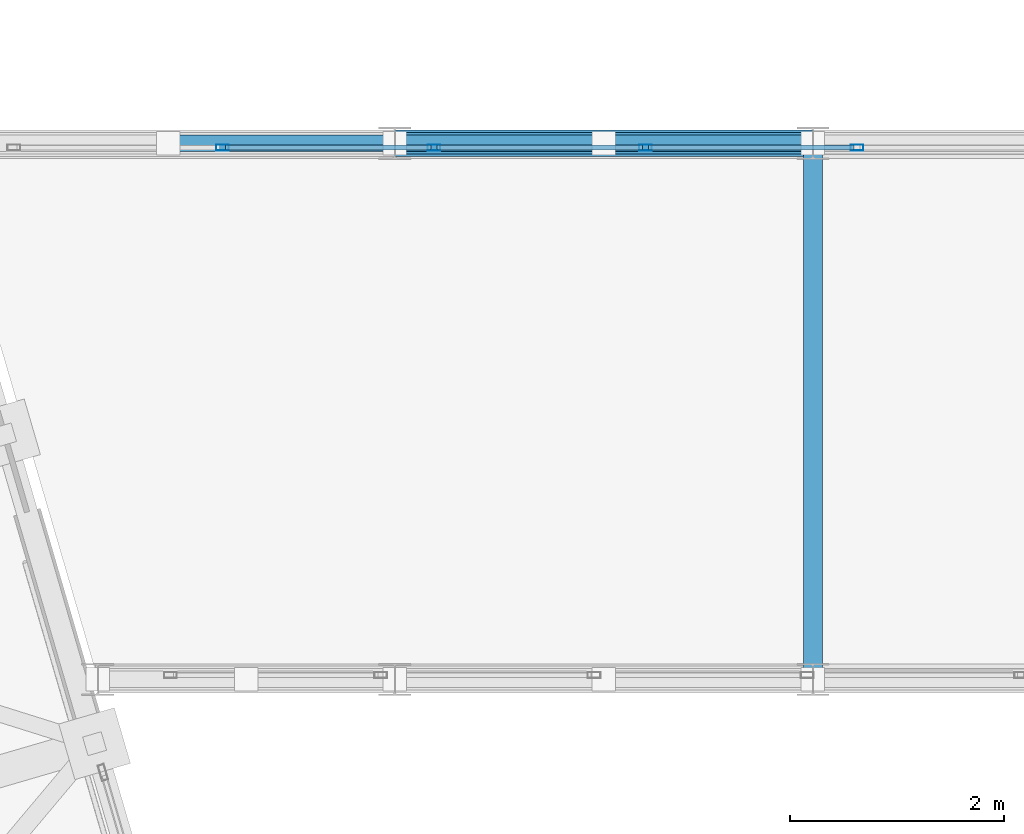
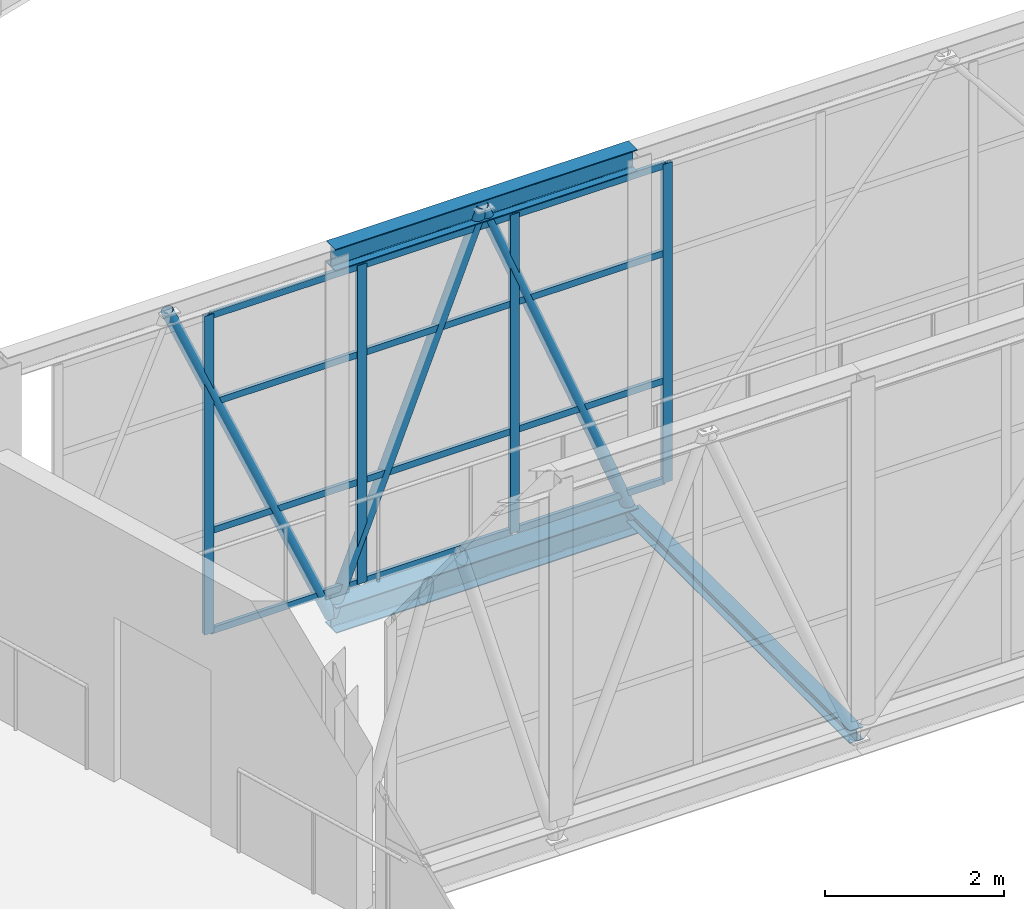
# One storey, part 127 of 248: 22 members, 1 element without a shape of its own.
"""IFC4 building model written with IfcOpenShell, lengths in metres."""

from ifc_helpers import new_model, si_unit, direction, frame, origin, origin_2d, place, context, subcontext, project, spatial, hollow_rectangle, hollow_circle, i_section, extrude, material, layer, layer_set, material_profile, profile_set, type_object, element, aggregate, save


model = new_model("IFC4")

# Units and contexts
model_context = context("Model", 3, precision=1e-05, world=origin(), true_north=direction((0.0, 1.0)))
body_context = subcontext(model_context, "Body", "Model", "MODEL_VIEW")
ifc_project = project(units=[si_unit("LENGTHUNIT", "METRE"), si_unit("AREAUNIT", "SQUARE_METRE"), si_unit("VOLUMEUNIT", "CUBIC_METRE"), si_unit("PLANEANGLEUNIT", "RADIAN"), si_unit("MASSUNIT", "GRAM", prefix="KILO")], contexts=[model_context])

# Site, building, storey
site_placement = place(None, origin())
site = spatial("IfcSite", under=ifc_project, at=site_placement, CompositionType="ELEMENT")
building_placement = place(site_placement, origin())
building = spatial("IfcBuilding", under=site, at=building_placement, Name="Canggui Botanical Conservatory", CompositionType="ELEMENT")
storey_placement = place(building_placement, frame((0.0, 0.0, 5.39990234375)))
storey = spatial("IfcBuildingStorey", under=building, at=storey_placement, Name="L02", CompositionType="ELEMENT", Elevation=5.39990234375)

# Curtain wall, members
ifc_material_1 = material(Name="Thermally Broken Aluminium", Category="aluminium")
ifc_layer = layer(ifc_material_1, 0.1201171875, Name="Thermally Broken Aluminium", Category="aluminium")
ifc_layer_set = layer_set([ifc_layer], Name="Thermally Broken Aluminium")
curtain_wall_type = type_object("IfcCurtainWallType", Name="CW-STICK-B", PredefinedType="USERDEFINED", material=ifc_layer_set)
curtain_wall_placement = place(storey_placement, origin())
curtain_wall = element("IfcCurtainWall", 1, at=curtain_wall_placement, inside=storey, type_object=curtain_wall_type, Name="Facade Curtain Wall CW-SB-04-2", ObjectType="STICK GLAZED WALL", PredefinedType="USERDEFINED")
ifc_material_profile_1 = material_profile(ifc_material_1, hollow_rectangle(XDim=0.054931640625, YDim=0.1201171875, WallThickness=0.0029296875, at=origin_2d()), Name="CWM 55x120x3")
ifc_profile_set_1 = profile_set([ifc_material_profile_1], Name="Thermally Broken Aluminium")
member_type_1 = type_object("IfcMemberType", Name="CWM-05", PredefinedType="MULLION", material=ifc_profile_set_1)
member_1_placement = place(storey_placement, frame((67.992919921875, 79.9599609375, 0.0), z_axis=(0.0, 0.0, 1.0), x_axis=(0.0, 1.0, 0.0)))
member_1 = element("IfcMember", 2, at=member_1_placement, type_object=member_type_1, Name="CW-05 mullion 2", PredefinedType="MULLION", context=body_context, shape_type="SweptSolid", body=[
    extrude(hollow_rectangle(XDim=0.054931640625, YDim=0.1201171875, WallThickness=0.0029296875, at=origin_2d()), origin(), (0.0, 0.0, 1.0), 4.35009765625),
])
member_2_placement = place(storey_placement, frame((69.965576171875, 79.9599609375, 0.0), z_axis=(0.0, 0.0, 1.0), x_axis=(0.0, 1.0, 0.0)))
member_2 = element("IfcMember", 3, at=member_2_placement, type_object=member_type_1, Name="CW-05 mullion 3", PredefinedType="MULLION", context=body_context, shape_type="SweptSolid", body=[
    extrude(hollow_rectangle(XDim=0.054931640625, YDim=0.1201171875, WallThickness=0.0029296875, at=origin_2d()), origin(), (0.0, 0.0, 1.0), 4.35009765625),
])
member_3_placement = place(storey_placement, frame((71.9384765625, 79.9599609375, 0.0), z_axis=(0.0, 0.0, 1.0), x_axis=(0.0, 1.0, 0.0)))
member_3 = element("IfcMember", 4, at=member_3_placement, type_object=member_type_1, Name="CW-05 mullion 4", PredefinedType="MULLION", context=body_context, shape_type="SweptSolid", body=[
    extrude(hollow_rectangle(XDim=0.054931640625, YDim=0.1201171875, WallThickness=0.0029296875, at=origin_2d()), origin(), (0.0, 0.0, 1.0), 4.35009765625),
])
member_4_placement = place(storey_placement, frame((73.9111328125, 79.9599609375, 0.0), z_axis=(0.0, 0.0, 1.0), x_axis=(0.0, 1.0, 0.0)))
member_4 = element("IfcMember", 5, at=member_4_placement, type_object=member_type_1, Name="CW-05 mullion 5", PredefinedType="MULLION", context=body_context, shape_type="SweptSolid", body=[
    extrude(hollow_rectangle(XDim=0.054931640625, YDim=0.1201171875, WallThickness=0.0029296875, at=origin_2d()), origin(), (0.0, 0.0, 1.0), 4.35009765625),
])
ifc_material_profile_2 = material_profile(ifc_material_1, hollow_rectangle(XDim=0.044921875, YDim=0.090087890625, WallThickness=0.0029296875, at=origin_2d()), Name="CWT 45x90x3")
ifc_profile_set_2 = profile_set([ifc_material_profile_2], Name="Thermally Broken Aluminium")
member_type_2 = type_object("IfcMemberType", Name="CWT-05", PredefinedType="USERDEFINED", material=ifc_profile_set_2)
member_5_placement = place(storey_placement, frame((68.020263671875, 79.9599609375, 0.022705078125), z_axis=(1.0, 0.0, 0.0), x_axis=(0.0, 1.0, 0.0)))
member_5 = element("IfcMember", 6, at=member_5_placement, type_object=member_type_2, Name="CW-05 transom 2.1", ObjectType="TRANSOM", PredefinedType="USERDEFINED", context=body_context, shape_type="SweptSolid", body=[
    extrude(hollow_rectangle(XDim=0.044921875, YDim=0.090087890625, WallThickness=0.0029296875, at=origin_2d()), origin(), (0.0, 0.0, 1.0), 1.91796875),
])
member_6_placement = place(storey_placement, frame((68.020263671875, 79.9599609375, 1.39208984375), z_axis=(1.0, 0.0, 0.0), x_axis=(0.0, 1.0, 0.0)))
member_6 = element("IfcMember", 7, at=member_6_placement, type_object=member_type_2, Name="CW-05 transom 2.2", ObjectType="TRANSOM", PredefinedType="USERDEFINED", context=body_context, shape_type="SweptSolid", body=[
    extrude(hollow_rectangle(XDim=0.044921875, YDim=0.090087890625, WallThickness=0.0029296875, at=origin_2d()), origin(), (0.0, 0.0, 1.0), 1.91796875),
])
member_7_placement = place(storey_placement, frame((68.020263671875, 79.9599609375, 3.132080078125), z_axis=(1.0, 0.0, 0.0), x_axis=(0.0, 1.0, 0.0)))
member_7 = element("IfcMember", 8, at=member_7_placement, type_object=member_type_2, Name="CW-05 transom 2.3", ObjectType="TRANSOM", PredefinedType="USERDEFINED", context=body_context, shape_type="SweptSolid", body=[
    extrude(hollow_rectangle(XDim=0.044921875, YDim=0.090087890625, WallThickness=0.0029296875, at=origin_2d()), origin(), (0.0, 0.0, 1.0), 1.91796875),
])
member_8_placement = place(storey_placement, frame((68.020263671875, 79.9599609375, 4.32763671875), z_axis=(1.0, 0.0, 0.0), x_axis=(0.0, 1.0, 0.0)))
member_8 = element("IfcMember", 9, at=member_8_placement, type_object=member_type_2, Name="CW-05 transom 2.4", ObjectType="TRANSOM", PredefinedType="USERDEFINED", context=body_context, shape_type="SweptSolid", body=[
    extrude(hollow_rectangle(XDim=0.044921875, YDim=0.090087890625, WallThickness=0.0029296875, at=origin_2d()), origin(), (0.0, 0.0, 1.0), 1.91796875),
])
member_9_placement = place(storey_placement, frame((69.9931640625, 79.9599609375, 0.022705078125), z_axis=(1.0, 0.0, 0.0), x_axis=(0.0, 1.0, 0.0)))
member_9 = element("IfcMember", 10, at=member_9_placement, type_object=member_type_2, Name="CW-05 transom 3.1", ObjectType="TRANSOM", PredefinedType="USERDEFINED", context=body_context, shape_type="SweptSolid", body=[
    extrude(hollow_rectangle(XDim=0.044921875, YDim=0.090087890625, WallThickness=0.0029296875, at=origin_2d()), origin(), (0.0, 0.0, 1.0), 1.917724609375),
])
member_10_placement = place(storey_placement, frame((69.9931640625, 79.9599609375, 1.39208984375), z_axis=(1.0, 0.0, 0.0), x_axis=(0.0, 1.0, 0.0)))
member_10 = element("IfcMember", 11, at=member_10_placement, type_object=member_type_2, Name="CW-05 transom 3.2", ObjectType="TRANSOM", PredefinedType="USERDEFINED", context=body_context, shape_type="SweptSolid", body=[
    extrude(hollow_rectangle(XDim=0.044921875, YDim=0.090087890625, WallThickness=0.0029296875, at=origin_2d()), origin(), (0.0, 0.0, 1.0), 1.917724609375),
])
member_11_placement = place(storey_placement, frame((69.9931640625, 79.9599609375, 3.132080078125), z_axis=(1.0, 0.0, 0.0), x_axis=(0.0, 1.0, 0.0)))
member_11 = element("IfcMember", 12, at=member_11_placement, type_object=member_type_2, Name="CW-05 transom 3.3", ObjectType="TRANSOM", PredefinedType="USERDEFINED", context=body_context, shape_type="SweptSolid", body=[
    extrude(hollow_rectangle(XDim=0.044921875, YDim=0.090087890625, WallThickness=0.0029296875, at=origin_2d()), origin(), (0.0, 0.0, 1.0), 1.917724609375),
])
member_12_placement = place(storey_placement, frame((69.9931640625, 79.9599609375, 4.32763671875), z_axis=(1.0, 0.0, 0.0), x_axis=(0.0, 1.0, 0.0)))
member_12 = element("IfcMember", 13, at=member_12_placement, type_object=member_type_2, Name="CW-05 transom 3.4", ObjectType="TRANSOM", PredefinedType="USERDEFINED", context=body_context, shape_type="SweptSolid", body=[
    extrude(hollow_rectangle(XDim=0.044921875, YDim=0.090087890625, WallThickness=0.0029296875, at=origin_2d()), origin(), (0.0, 0.0, 1.0), 1.917724609375),
])
member_13_placement = place(storey_placement, frame((71.9658203125, 79.9599609375, 0.022705078125), z_axis=(1.0, 0.0, 0.0), x_axis=(0.0, 1.0, 0.0)))
member_13 = element("IfcMember", 14, at=member_13_placement, type_object=member_type_2, Name="CW-05 transom 4.1", ObjectType="TRANSOM", PredefinedType="USERDEFINED", context=body_context, shape_type="SweptSolid", body=[
    extrude(hollow_rectangle(XDim=0.044921875, YDim=0.090087890625, WallThickness=0.0029296875, at=origin_2d()), origin(), (0.0, 0.0, 1.0), 1.91796875),
])
member_14_placement = place(storey_placement, frame((71.9658203125, 79.9599609375, 1.39208984375), z_axis=(1.0, 0.0, 0.0), x_axis=(0.0, 1.0, 0.0)))
member_14 = element("IfcMember", 15, at=member_14_placement, type_object=member_type_2, Name="CW-05 transom 4.2", ObjectType="TRANSOM", PredefinedType="USERDEFINED", context=body_context, shape_type="SweptSolid", body=[
    extrude(hollow_rectangle(XDim=0.044921875, YDim=0.090087890625, WallThickness=0.0029296875, at=origin_2d()), origin(), (0.0, 0.0, 1.0), 1.91796875),
])
member_15_placement = place(storey_placement, frame((71.9658203125, 79.9599609375, 3.132080078125), z_axis=(1.0, 0.0, 0.0), x_axis=(0.0, 1.0, 0.0)))
member_15 = element("IfcMember", 16, at=member_15_placement, type_object=member_type_2, Name="CW-05 transom 4.3", ObjectType="TRANSOM", PredefinedType="USERDEFINED", context=body_context, shape_type="SweptSolid", body=[
    extrude(hollow_rectangle(XDim=0.044921875, YDim=0.090087890625, WallThickness=0.0029296875, at=origin_2d()), origin(), (0.0, 0.0, 1.0), 1.91796875),
])
member_16_placement = place(storey_placement, frame((71.9658203125, 79.9599609375, 4.32763671875), z_axis=(1.0, 0.0, 0.0), x_axis=(0.0, 1.0, 0.0)))
member_16 = element("IfcMember", 17, at=member_16_placement, type_object=member_type_2, Name="CW-05 transom 4.4", ObjectType="TRANSOM", PredefinedType="USERDEFINED", context=body_context, shape_type="SweptSolid", body=[
    extrude(hollow_rectangle(XDim=0.044921875, YDim=0.090087890625, WallThickness=0.0029296875, at=origin_2d()), origin(), (0.0, 0.0, 1.0), 1.91796875),
])
aggregate(curtain_wall, [member_1, member_2, member_3, member_4, member_5, member_6, member_7, member_8, member_9, member_10, member_11, member_12, member_13, member_14, member_15, member_16])

# Members
ifc_material_2 = material(Name="Steel Q355C", Category="steel")
ifc_material_profile_3 = material_profile(ifc_material_2, hollow_circle(Radius=0.075927734375, WallThickness=0.006103515625, at=origin_2d()), Name="CHS 152x6")
ifc_profile_set_3 = profile_set([ifc_material_profile_3], Name="Steel Q355C")
member_type_3 = type_object("IfcMemberType", Name="MEM-GSD04", PredefinedType="RAFTER", material=ifc_profile_set_3)
member_17_placement = place(storey_placement, frame((67.485107421875, 80.0, 4.550048828125), z_axis=(0.396297558957, 0.0, -0.918122129547), x_axis=(0.0, 1.0, 0.0)))
element("IfcMember", 18, at=member_17_placement, inside=storey, type_object=member_type_3, Name="SB-04 Truss Web Rafter 2.1B", PredefinedType="RAFTER", context=body_context, shape_type="SweptSolid", body=[
    extrude(hollow_circle(Radius=0.075927734375, WallThickness=0.006103515625, at=origin_2d()), origin(), (0.0, 0.0, 1.0), 5.3369140625),
])
for number, where, z_axis, x_axis, name in (
    (19, (69.60009765625, 80.0, -0.349853515625), (0.369753830019, 0.0, 0.929129756916), (0.0, 1.0, 0.0), "SB-04 Truss Web Rafter 2.2A"),
    (20, (71.550048828125, 80.0, 4.550048828125), (0.369753830019, 0.0, -0.929129756916), (0.0, 1.0, 0.0), "SB-04 Truss Web Rafter 2.2B"),
):
    element("IfcMember", number, at=place(storey_placement, frame(where, z_axis=z_axis, x_axis=x_axis)), inside=storey, type_object=member_type_3, Name=name, PredefinedType="RAFTER", context=body_context, shape_type="SweptSolid", body=[
        extrude(hollow_circle(Radius=0.075927734375, WallThickness=0.006103515625, at=origin_2d()), origin(), (0.0, 0.0, 1.0), 5.273681640625),
    ])
ifc_material_3 = material(Name="Steel Q355B", Category="steel")
ifc_material_profile_4 = material_profile(ifc_material_3, i_section(OverallWidth=0.175048828125, OverallDepth=0.175048828125, WebThickness=0.007568359375, FlangeThickness=0.010986328125, FilletRadius=0.011962890625, at=origin_2d()), Name="HW 175x175x7.5x11")
ifc_profile_set_4 = profile_set([ifc_material_profile_4], Name="Steel Q355B")
member_type_4 = type_object("IfcMemberType", Name="MEM-STR02", PredefinedType="STRINGER", material=ifc_profile_set_4)
member_18_placement = place(storey_placement, frame((73.5, 75.0, -0.31982421875), z_axis=(0.0, 1.0, 0.0), x_axis=(-1.0, 0.0, 0.0)))
element("IfcMember", 21, at=member_18_placement, inside=storey, type_object=member_type_4, Name="SB-04 Deck Transverse Stringer 1", PredefinedType="STRINGER", context=body_context, shape_type="SweptSolid", body=[
    extrude(i_section(OverallWidth=0.175048828125, OverallDepth=0.175048828125, WebThickness=0.007568359375, FlangeThickness=0.010986328125, FilletRadius=0.011962890625, at=origin_2d()), origin(), (0.0, 0.0, 1.0), 5.0),
])
ifc_material_profile_5 = material_profile(ifc_material_3, i_section(OverallWidth=0.25, OverallDepth=0.35009765625, WebThickness=0.009033203125, FlangeThickness=0.013916015625, FilletRadius=0.02001953125, at=origin_2d()), Name="HM 350x250x9x14")
ifc_profile_set_5 = profile_set([ifc_material_profile_5], Name="Steel Q355B")
member_type_5 = type_object("IfcMemberType", Name="MEM-TC03", PredefinedType="CHORD", material=ifc_profile_set_5)
member_19_placement = place(storey_placement, frame((69.60009765625, 80.0, -0.349853515625), z_axis=(1.0, 0.0, 0.0), x_axis=(0.0, 1.0, 0.0)))
element("IfcMember", 22, at=member_19_placement, inside=storey, type_object=member_type_5, Name="SB-04 Deck Truss Bottom Chord 2.2", PredefinedType="CHORD", context=body_context, shape_type="SweptSolid", body=[
    extrude(i_section(OverallWidth=0.25, OverallDepth=0.35009765625, WebThickness=0.009033203125, FlangeThickness=0.013916015625, FilletRadius=0.02001953125, at=origin_2d()), origin(), (0.0, 0.0, 1.0), 3.89990234375),
])
ifc_material_profile_6 = material_profile(ifc_material_3, i_section(OverallWidth=0.199951171875, OverallDepth=0.300048828125, WebThickness=0.008056640625, FlangeThickness=0.011962890625, FilletRadius=0.01806640625, at=origin_2d()), Name="HM 300x200x8x12")
ifc_profile_set_6 = profile_set([ifc_material_profile_6], Name="Steel Q355B")
member_type_6 = type_object("IfcMemberType", Name="MEM-TC04", PredefinedType="CHORD", material=ifc_profile_set_6)
member_20_placement = place(storey_placement, frame((69.60009765625, 80.0, 4.550048828125), z_axis=(1.0, 0.0, 0.0), x_axis=(0.0, 1.0, 0.0)))
element("IfcMember", 23, at=member_20_placement, inside=storey, type_object=member_type_6, Name="SB-04 Roof Truss Top Chord 2.2", PredefinedType="CHORD", context=body_context, shape_type="SweptSolid", body=[
    extrude(i_section(OverallWidth=0.199951171875, OverallDepth=0.300048828125, WebThickness=0.008056640625, FlangeThickness=0.011962890625, FilletRadius=0.01806640625, at=origin_2d()), origin(), (0.0, 0.0, 1.0), 3.89990234375),
])

save(model, "model.ifc")
